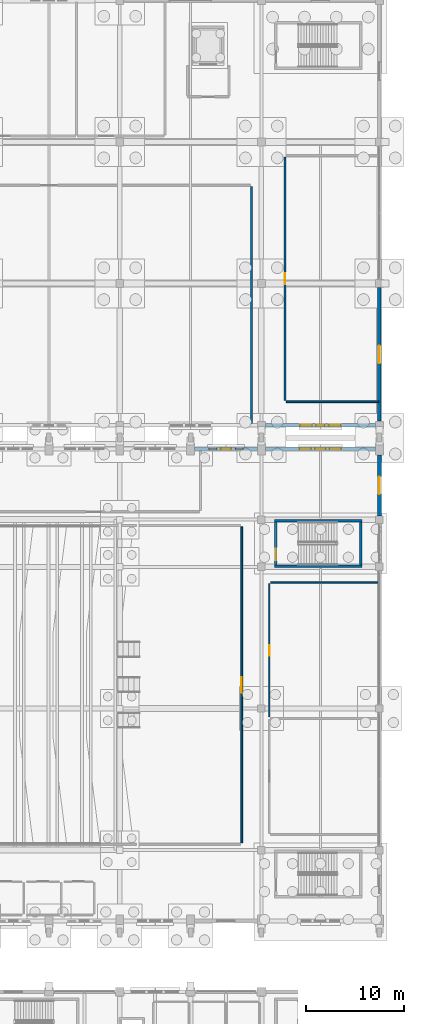
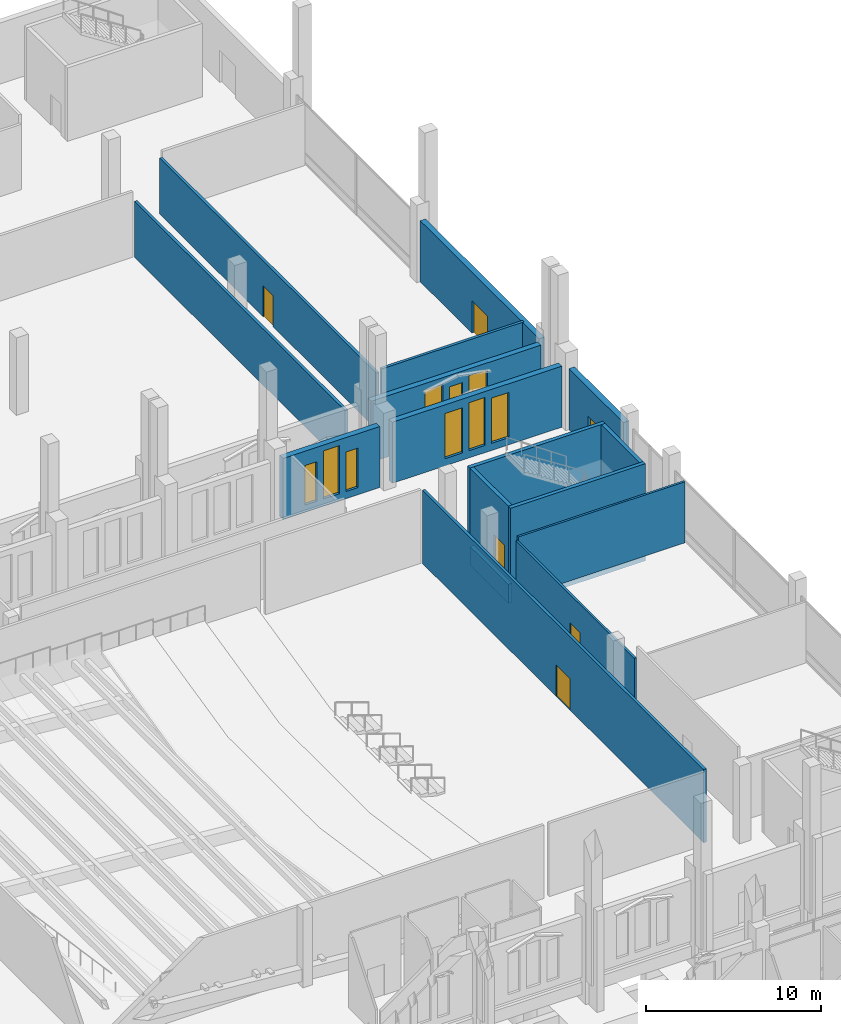
# One storey, part 147 of 192: 16 walls, 9 windows, 6 doors, 15 openings.
"""IFC4 building model written with IfcOpenShell, lengths in metres."""

import ifcopenshell
import ifcopenshell.guid

model = None  # the IFC model being written
_history = None  # IfcOwnerHistory: only IFC2X3 demands one
_inside = {}  # id of a spatial element -> (the spatial element, [elements in it])
_under = {}  # id of a project, library or spatial element -> (it, [spatial elements below it])
_declared = {}  # id of a project -> (the project, [libraries it declares])
_typed = {}  # id of a type object -> (the type object, [elements of that type])
_made_of = {}  # id of a material, layer set ... -> (it, [elements and type objects made of it])


def new_model(schema):
    """Start an empty IFC model of exactly this schema.

    Asked for "IFC4X3", IfcOpenShell would pick the latest addendum, in which some entities
    have other attributes; the version numbers below select the first issue.
    IFC2X3 requires an IfcOwnerHistory on every rooted entity: one is made here for all.
    """
    global model, _history
    if schema == "IFC4X3":
        model = ifcopenshell.file(schema_version=(4, 3, 0, 0))
    else:
        model = ifcopenshell.file(schema=schema)
    _inside.clear()
    _under.clear()
    _declared.clear()
    _typed.clear()
    _made_of.clear()
    _history = None
    if model.schema == "IFC2X3":
        org = make("IfcOrganization", Name="unknown")
        user = make(
            "IfcPersonAndOrganization",
            ThePerson=make("IfcPerson", FamilyName="unknown"),
            TheOrganization=org,
        )
        app = make(
            "IfcApplication",
            ApplicationDeveloper=org,
            Version="unknown",
            ApplicationFullName="unknown",
            ApplicationIdentifier="unknown",
        )
        _history = make(
            "IfcOwnerHistory",
            OwningUser=user,
            OwningApplication=app,
            ChangeAction="ADDED",
            CreationDate=0,
        )
    return model


def make(cls, **values):
    """One entity of the class cls with the attributes given. An attribute that is None is left unset."""
    return model.create_entity(
        cls, **{name: value for name, value in values.items() if value is not None}
    )


def rooted(cls, **values):
    """An entity with a GlobalId (a new one), such as an element, a storey or a relation."""
    return make(cls, GlobalId=ifcopenshell.guid.new(), OwnerHistory=_history, **values)


def si_unit(unit_type, name, prefix=None):
    """IfcSIUnit, for example si_unit("LENGTHUNIT", "METRE", prefix="MILLI")."""
    return make("IfcSIUnit", UnitType=unit_type, Prefix=prefix, Name=name)


def assignment(units):
    """IfcUnitAssignment: the units of a project."""
    return None if units is None else make("IfcUnitAssignment", Units=units)


def point(xyz):
    """IfcCartesianPoint."""
    return None if xyz is None else make("IfcCartesianPoint", Coordinates=xyz)


def direction(xyz):
    """IfcDirection."""
    return None if xyz is None else make("IfcDirection", DirectionRatios=xyz)


def frame(location, z_axis=None, x_axis=None):
    """IfcAxis2Placement3D, a coordinate frame: its origin and axes. An axis left out is left unset."""
    return make(
        "IfcAxis2Placement3D",
        Location=point(location),
        Axis=direction(z_axis),
        RefDirection=direction(x_axis),
    )


def frame_2d(location, x_axis=None):
    """IfcAxis2Placement2D, a coordinate frame in the plane: its origin and x axis."""
    return make(
        "IfcAxis2Placement2D", Location=point(location), RefDirection=direction(x_axis)
    )


def origin():
    """The frame at (0, 0, 0) with its axes left unset."""
    return frame((0.0, 0.0, 0.0))


def place(relative_to, where):
    """IfcLocalPlacement: puts the frame where relative to a parent placement (None: the world)."""
    return make(
        "IfcLocalPlacement", PlacementRelTo=relative_to, RelativePlacement=where
    )


def context(
    kind, dimensions, precision=None, world=None, true_north=None, identifier=None
):
    """IfcGeometricRepresentationContext, for example the 3D "Model" context."""
    return make(
        "IfcGeometricRepresentationContext",
        ContextIdentifier=identifier,
        ContextType=kind,
        CoordinateSpaceDimension=dimensions,
        Precision=precision,
        WorldCoordinateSystem=world,
        TrueNorth=true_north,
    )


def subcontext(parent, identifier, kind, view, scale=None):
    """IfcGeometricRepresentationSubContext, for example "Body" below "Model"."""
    return make(
        "IfcGeometricRepresentationSubContext",
        ContextIdentifier=identifier,
        ContextType=kind,
        ParentContext=parent,
        TargetScale=scale,
        TargetView=view,
    )


def project(units=None, contexts=None):
    """IfcProject with its units and contexts."""
    return rooted(
        "IfcProject",
        Name="project",
        RepresentationContexts=contexts,
        UnitsInContext=assignment(units),
    )


def spatial(cls, under=None, at=None, **own):
    """A site, building, storey or space (cls), placed at a placement, below another one or the project."""
    s = rooted(cls, ObjectPlacement=at, **own)
    if under is not None:
        _under.setdefault(under.id(), (under, []))[1].append(s)
    return s


def profile(cls, at=None, kind="AREA", **sizes):
    """A parametric profile (cls). Its sizes go by their IFC names, for example OverallWidth=200.0."""
    return make(cls, ProfileType=kind, Position=at, **sizes)


def rectangle(**sizes):
    """IfcRectangleProfileDef."""
    return profile("IfcRectangleProfileDef", **sizes)


def extrude(swept, where, along, depth):
    """IfcExtrudedAreaSolid: the profile swept, set in the frame where, extruded along a direction by depth."""
    return make(
        "IfcExtrudedAreaSolid",
        SweptArea=swept,
        Position=where,
        ExtrudedDirection=direction(along),
        Depth=depth,
    )


def shape(context_of_items, identifier, shape_type, items):
    """IfcShapeRepresentation: the items that make up one representation, for example the "Body"."""
    return make(
        "IfcShapeRepresentation",
        ContextOfItems=context_of_items,
        RepresentationIdentifier=identifier,
        RepresentationType=shape_type,
        Items=items,
    )


def material(Name=None, Category=None):
    """IfcMaterial."""
    return make("IfcMaterial", Name=Name, Category=Category)


def layer(
    of_material, thickness, ventilated=None, Name=None, Category=None, Priority=None
):
    """IfcMaterialLayer: one layer of a wall or slab, of a material (None: an air gap)."""
    return make(
        "IfcMaterialLayer",
        Material=of_material,
        LayerThickness=thickness,
        IsVentilated=ventilated,
        Name=Name,
        Category=Category,
        Priority=Priority,
    )


def layer_set(layers, Name=None):
    """IfcMaterialLayerSet."""
    return make("IfcMaterialLayerSet", MaterialLayers=layers, LayerSetName=Name)


def made_of(thing, what):
    """Note that an element or type object is made of a material, layer set ...; save() writes the relation."""
    if what is not None:
        _made_of.setdefault(what.id(), (what, []))[1].append(thing)
    return thing


def type_object(cls, material=None, **own):
    """A type object (cls), such as IfcWallType, which elements share."""
    return made_of(rooted(cls, **own), material)


def element(
    cls,
    number,
    at=None,
    inside=None,
    cuts=None,
    type_object=None,
    material=None,
    context=None,
    identifier="Body",
    shape_type=None,
    held_by="IfcProductDefinitionShape",
    body=None,
    shapes=None,
    **own,
):
    """One element of the class cls, such as IfcWall. Its Tag is "e" and its number.

    at: its placement. inside: the storey or other place that contains it. cuts: it is an
    opening in that element (IfcRelVoidsElement). A single representation is given by context,
    identifier, shape_type and body (its items); several are given by shapes. held_by: the class
    of the entity that holds the representations. save() writes the other relations.
    """
    e = rooted(cls, Tag="e%d" % number, ObjectPlacement=at, **own)
    if body is not None:
        shapes = [shape(context, identifier, shape_type, body)]
    if shapes is not None:
        e.Representation = make(held_by, Representations=shapes)
    if inside is not None:
        _inside.setdefault(inside.id(), (inside, []))[1].append(e)
    if cuts is not None:
        rooted(
            "IfcRelVoidsElement", RelatingBuildingElement=cuts, RelatedOpeningElement=e
        )
    if type_object is not None:
        _typed.setdefault(type_object.id(), (type_object, []))[1].append(e)
    return made_of(e, material)


def fill(opening, filler):
    """IfcRelFillsElement: the door or window that sits in an opening."""
    return rooted(
        "IfcRelFillsElement",
        RelatingOpeningElement=opening,
        RelatedBuildingElement=filler,
    )


def aggregate(whole, parts):
    """IfcRelAggregates: a whole, such as a stair, and the parts it consists of."""
    return rooted("IfcRelAggregates", RelatingObject=whole, RelatedObjects=parts)


def save(model, path):
    """Write the relations noted so far, then the file.

    IfcRelAggregates (storeys below a building ...), IfcRelContainedInSpatialStructure (elements
    in a storey), IfcRelDefinesByType, IfcRelAssociatesMaterial and IfcRelDeclares: one each for
    every whole, place, type object, material and project.
    """
    for whole, parts in _under.values():
        aggregate(whole, parts)
    for where, things in _inside.values():
        rooted(
            "IfcRelContainedInSpatialStructure",
            RelatedElements=things,
            RelatingStructure=where,
        )
    for kind, things in _typed.values():
        rooted("IfcRelDefinesByType", RelatedObjects=things, RelatingType=kind)
    for what, things in _made_of.values():
        rooted("IfcRelAssociatesMaterial", RelatedObjects=things, RelatingMaterial=what)
    for by, libraries in _declared.values():
        rooted("IfcRelDeclares", RelatingContext=by, RelatedDefinitions=libraries)
    model.write(path)


model = new_model("IFC4")

# Units and contexts
model_context = context("Model", 3, precision=1e-05, world=origin(), true_north=direction((0.0, 1.0)))
body_context = subcontext(model_context, "Body", "Model", "MODEL_VIEW")
ifc_project = project(units=[si_unit("LENGTHUNIT", "METRE"), si_unit("AREAUNIT", "SQUARE_METRE"), si_unit("VOLUMEUNIT", "CUBIC_METRE"), si_unit("PLANEANGLEUNIT", "RADIAN"), si_unit("MASSUNIT", "GRAM", prefix="KILO")], contexts=[model_context])

# Site, building, storey
site_placement = place(None, origin())
site = spatial("IfcSite", under=ifc_project, at=site_placement, CompositionType="ELEMENT")
building_placement = place(site_placement, origin())
building = spatial("IfcBuilding", under=site, at=building_placement, Name="Cendralis Lancet Convention Centre", CompositionType="ELEMENT")
storey_placement = place(building_placement, origin())
storey = spatial("IfcBuildingStorey", under=building, at=storey_placement, Name="L00", CompositionType="ELEMENT", Elevation=0.0)

# Wall, openings, windows
ifc_material_1 = material(Name="Buff sandstone ashlar and Concrete G40 (C40/50)", Category="masonry")
ifc_layer_1 = layer(ifc_material_1, 0.360107421875, Name="Buff sandstone ashlar and Concrete G40 (C40/50)")
ifc_layer_set_1 = layer_set([ifc_layer_1], Name="Buff sandstone ashlar and Concrete G40 (C40/50)")
wall_type_1 = type_object("IfcWallType", Name="ARC-EW-W360", PredefinedType="STANDARD", material=ifc_layer_set_1)
wall_1_placement = place(storey_placement, frame((208.39208984375, 93.60009765625, 0.0), z_axis=(0.0, 0.0, 1.0), x_axis=(-1.0, 0.0, 0.0)))
wall_1 = element("IfcWall", 1, at=wall_1_placement, inside=storey, type_object=wall_type_1, Name="L00 V3 Exterior Wall EW-04 #0139", PredefinedType="STANDARD", context=body_context, shape_type="SweptSolid", body=[
    extrude(rectangle(XDim=11.18408203125, YDim=0.360107421875, at=frame_2d((5.592041015625, 0.0))), origin(), (0.0, 0.0, 1.0), 4.2548828125),
])
opening_1_placement = place(wall_1_placement, frame((3.531982421875, 0.0, 0.5)))
opening_1 = element("IfcOpeningElement", 2, at=opening_1_placement, cuts=wall_1, Name="Opening WN-14", PredefinedType="OPENING", context=body_context, shape_type="SweptSolid", body=[
    extrude(rectangle(XDim=1.199951171875, YDim=3.280029296875, at=frame_2d((0.60009765625, 1.64013671875))), frame((0.0, 0.18994140625, 0.0), z_axis=(0.0, -1.0, 0.0), x_axis=(1.0, 0.0, 0.0)), (0.0, 0.0, 1.0), 0.380126953125),
])
opening_2_placement = place(wall_1_placement, frame((5.152099609375, 0.0, 0.5)))
opening_2 = element("IfcOpeningElement", 3, at=opening_2_placement, cuts=wall_1, Name="Opening WN-08", PredefinedType="OPENING", context=body_context, shape_type="SweptSolid", body=[
    extrude(rectangle(XDim=0.8798828125, YDim=2.949951171875, at=frame_2d((0.43994140625, 1.47509765625))), frame((0.0, 0.18994140625, 0.0), z_axis=(0.0, -1.0, 0.0), x_axis=(1.0, 0.0, 0.0)), (0.0, 0.0, 1.0), 0.380126953125),
])
opening_3_placement = place(wall_1_placement, frame((6.451904296875, 0.0, 0.5)))
opening_3 = element("IfcOpeningElement", 4, at=opening_3_placement, cuts=wall_1, Name="Opening WN-14", PredefinedType="OPENING", context=body_context, shape_type="SweptSolid", body=[
    extrude(rectangle(XDim=1.199951171875, YDim=3.280029296875, at=frame_2d((0.60009765625, 1.64013671875))), frame((0.0, 0.18994140625, 0.0), z_axis=(0.0, -1.0, 0.0), x_axis=(1.0, 0.0, 0.0)), (0.0, 0.0, 1.0), 0.380126953125),
])
ifc_material_2 = material(Name="Double-glazed low-E solar-control glass", Category="glass")
window_type_1 = type_object("IfcWindowType", Name="ARC-WN-LW08", PartitioningType="SINGLE_PANEL", PredefinedType="WINDOW", material=ifc_material_2)
window_1_placement = place(opening_2_placement, origin())
window_1 = element("IfcWindow", 5, at=window_1_placement, inside=storey, type_object=window_type_1, Name="Gothic Lancet Window WN-08 #0270", OverallHeight=2.949951171875, OverallWidth=0.8798828125, PartitioningType="SINGLE_PANEL", PredefinedType="WINDOW", context=body_context, shape_type="SweptSolid", body=[
    extrude(rectangle(XDim=0.8798828125, YDim=2.949951171875, at=frame_2d((0.43994140625, 1.47509765625))), frame((0.0, 0.030029296875, 0.0), z_axis=(0.0, -1.0, 0.0), x_axis=(1.0, 0.0, 0.0)), (0.0, 0.0, 1.0), 0.06005859375),
])
fill(opening_2, window_1)
window_type_2 = type_object("IfcWindowType", Name="ARC-WN-LW14", PartitioningType="SINGLE_PANEL", PredefinedType="WINDOW", material=ifc_material_2)
window_2_placement = place(opening_1_placement, origin())
window_2 = element("IfcWindow", 6, at=window_2_placement, inside=storey, type_object=window_type_2, Name="Gothic Lancet Window WN-14 #0269", OverallHeight=3.280029296875, OverallWidth=1.199951171875, PartitioningType="SINGLE_PANEL", PredefinedType="WINDOW", context=body_context, shape_type="SweptSolid", body=[
    extrude(rectangle(XDim=1.199951171875, YDim=3.280029296875, at=frame_2d((0.60009765625, 1.64013671875))), frame((0.0, 0.030029296875, 0.0), z_axis=(0.0, -1.0, 0.0), x_axis=(1.0, 0.0, 0.0)), (0.0, 0.0, 1.0), 0.06005859375),
])
fill(opening_1, window_2)
window_3_placement = place(opening_3_placement, origin())
window_3 = element("IfcWindow", 7, at=window_3_placement, inside=storey, type_object=window_type_2, Name="Gothic Lancet Window WN-14 #0271", OverallHeight=3.280029296875, OverallWidth=1.199951171875, PartitioningType="SINGLE_PANEL", PredefinedType="WINDOW", context=body_context, shape_type="SweptSolid", body=[
    extrude(rectangle(XDim=1.199951171875, YDim=3.280029296875, at=frame_2d((0.60009765625, 1.64013671875))), frame((0.0, 0.030029296875, 0.0), z_axis=(0.0, -1.0, 0.0), x_axis=(1.0, 0.0, 0.0)), (0.0, 0.0, 1.0), 0.06005859375),
])
fill(opening_3, window_3)

# Wall, opening, door
wall_2_placement = place(storey_placement, frame((208.800048828125, 107.592041015625, 0.0), z_axis=(0.0, 0.0, 1.0), x_axis=(0.0, -1.0, 0.0)))
wall_2 = element("IfcWall", 8, at=wall_2_placement, inside=storey, type_object=wall_type_1, Name="L00 V3 Exterior Wall EW-04 #0143", PredefinedType="STANDARD", context=body_context, shape_type="SweptSolid", body=[
    extrude(rectangle(XDim=13.583984375, YDim=0.360107421875, at=frame_2d((6.7919921875, 0.0))), origin(), (0.0, 0.0, 1.0), 4.2548828125),
])
opening_4_placement = place(wall_2_placement, frame((5.89208984375, 0.0, 0.0)))
opening_4 = element("IfcOpeningElement", 9, at=opening_4_placement, cuts=wall_2, Name="Opening EX-D1", PredefinedType="OPENING", context=body_context, shape_type="SweptSolid", body=[
    extrude(rectangle(XDim=1.800048828125, YDim=2.25, at=frame_2d((0.89990234375, 1.125))), frame((0.0, 0.18994140625, 0.0), z_axis=(0.0, -1.0, 0.0), x_axis=(1.0, 0.0, 0.0)), (0.0, 0.0, 1.0), 0.380126953125),
])
ifc_material_3 = material(Name="Anodised bronze architectural aluminium", Category="aluminium")
door_type_1 = type_object("IfcDoorType", Name="ARC-DR-EX18", OperationType="NOTDEFINED", PredefinedType="DOOR", material=ifc_material_3)
door_1_placement = place(opening_4_placement, origin())
door_1 = element("IfcDoor", 10, at=door_1_placement, inside=storey, type_object=door_type_1, Name="L00-D041 Pedestrian Final Exit Door EX-41 #041", OperationType="DOUBLE_DOOR_SINGLE_SWING", OverallHeight=2.25, OverallWidth=1.800048828125, PredefinedType="DOOR", context=body_context, shape_type="SweptSolid", body=[
    extrude(rectangle(XDim=1.800048828125, YDim=2.25, at=frame_2d((0.89990234375, 1.125))), frame((0.0, 0.02490234375, 0.0), z_axis=(0.0, -1.0, 0.0), x_axis=(1.0, 0.0, 0.0)), (0.0, 0.0, 1.0), 0.050048828125),
])
fill(opening_4, door_1)

# Wall, openings, windows
ifc_layer_2 = layer(ifc_material_1, 0.3798828125, Name="Buff sandstone ashlar and Concrete G40 (C40/50)")
ifc_layer_set_2 = layer_set([ifc_layer_2], Name="Buff sandstone ashlar and Concrete G40 (C40/50)")
wall_type_2 = type_object("IfcWallType", Name="ARC-EW-W380", PredefinedType="STANDARD", material=ifc_layer_set_2)
wall_3_placement = place(storey_placement, frame((190.008056640625, 91.199951171875, 0.0), z_axis=(0.0, 0.0, 1.0), x_axis=(1.0, 0.0, 0.0)))
wall_3 = element("IfcWall", 11, at=wall_3_placement, inside=storey, type_object=wall_type_2, Name="L00 V2 Exterior Wall EW-03 #0083", PredefinedType="STANDARD", context=body_context, shape_type="SweptSolid", body=[
    extrude(rectangle(XDim=6.384033203125, YDim=0.3798828125, at=frame_2d((3.19189453125, 0.0))), origin(), (0.0, 0.0, 1.0), 4.2548828125),
])
opening_5_placement = place(wall_3_placement, frame((1.44189453125, 0.0, 0.5)))
opening_5 = element("IfcOpeningElement", 12, at=opening_5_placement, cuts=wall_3, Name="Opening WN-07", PredefinedType="OPENING", context=body_context, shape_type="SweptSolid", body=[
    extrude(rectangle(XDim=0.800048828125, YDim=2.75, at=frame_2d((0.39990234375, 1.375))), frame((0.0, 0.199951171875, 0.0), z_axis=(0.0, -1.0, 0.0), x_axis=(1.0, 0.0, 0.0)), (0.0, 0.0, 1.0), 0.39990234375),
])
opening_6_placement = place(wall_3_placement, frame((2.662109375, 0.0, 0.5)))
opening_6 = element("IfcOpeningElement", 13, at=opening_6_placement, cuts=wall_3, Name="Opening WN-11", PredefinedType="OPENING", context=body_context, shape_type="SweptSolid", body=[
    extrude(rectangle(XDim=1.06005859375, YDim=3.35009765625, at=frame_2d((0.530029296875, 1.675048828125))), frame((0.0, 0.199951171875, 0.0), z_axis=(0.0, -1.0, 0.0), x_axis=(1.0, 0.0, 0.0)), (0.0, 0.0, 1.0), 0.39990234375),
])
opening_7_placement = place(wall_3_placement, frame((4.14208984375, 0.0, 0.5)))
opening_7 = element("IfcOpeningElement", 14, at=opening_7_placement, cuts=wall_3, Name="Opening WN-07", PredefinedType="OPENING", context=body_context, shape_type="SweptSolid", body=[
    extrude(rectangle(XDim=0.800048828125, YDim=2.75, at=frame_2d((0.39990234375, 1.375))), frame((0.0, 0.199951171875, 0.0), z_axis=(0.0, -1.0, 0.0), x_axis=(1.0, 0.0, 0.0)), (0.0, 0.0, 1.0), 0.39990234375),
])
window_type_3 = type_object("IfcWindowType", Name="ARC-WN-LW07", PartitioningType="SINGLE_PANEL", PredefinedType="WINDOW", material=ifc_material_2)
window_4_placement = place(opening_5_placement, origin())
window_4 = element("IfcWindow", 15, at=window_4_placement, inside=storey, type_object=window_type_3, Name="Gothic Lancet Window WN-07 #0144", OverallHeight=2.75, OverallWidth=0.800048828125, PartitioningType="SINGLE_PANEL", PredefinedType="WINDOW", context=body_context, shape_type="SweptSolid", body=[
    extrude(rectangle(XDim=0.800048828125, YDim=2.75, at=frame_2d((0.39990234375, 1.375))), frame((0.0, 0.030029296875, 0.0), z_axis=(0.0, -1.0, 0.0), x_axis=(1.0, 0.0, 0.0)), (0.0, 0.0, 1.0), 0.06005859375),
])
fill(opening_5, window_4)
window_5_placement = place(opening_7_placement, origin())
window_5 = element("IfcWindow", 16, at=window_5_placement, inside=storey, type_object=window_type_3, Name="Gothic Lancet Window WN-07 #0146", OverallHeight=2.75, OverallWidth=0.800048828125, PartitioningType="SINGLE_PANEL", PredefinedType="WINDOW", context=body_context, shape_type="SweptSolid", body=[
    extrude(rectangle(XDim=0.800048828125, YDim=2.75, at=frame_2d((0.39990234375, 1.375))), frame((0.0, 0.030029296875, 0.0), z_axis=(0.0, -1.0, 0.0), x_axis=(1.0, 0.0, 0.0)), (0.0, 0.0, 1.0), 0.06005859375),
])
fill(opening_7, window_5)
window_type_4 = type_object("IfcWindowType", Name="ARC-WN-LW11", PartitioningType="SINGLE_PANEL", PredefinedType="WINDOW", material=ifc_material_2)
window_6_placement = place(opening_6_placement, origin())
window_6 = element("IfcWindow", 17, at=window_6_placement, inside=storey, type_object=window_type_4, Name="Gothic Lancet Window WN-11 #0145", OverallHeight=3.35009765625, OverallWidth=1.06005859375, PartitioningType="SINGLE_PANEL", PredefinedType="WINDOW", context=body_context, shape_type="SweptSolid", body=[
    extrude(rectangle(XDim=1.06005859375, YDim=3.35009765625, at=frame_2d((0.530029296875, 1.675048828125))), frame((0.0, 0.030029296875, 0.0), z_axis=(0.0, -1.0, 0.0), x_axis=(1.0, 0.0, 0.0)), (0.0, 0.0, 1.0), 0.06005859375),
])
fill(opening_6, window_6)

wall_4_placement = place(storey_placement, frame((197.2080078125, 91.199951171875, 0.0), z_axis=(0.0, 0.0, 1.0), x_axis=(1.0, 0.0, 0.0)))
wall_4 = element("IfcWall", 18, at=wall_4_placement, inside=storey, type_object=wall_type_2, Name="L00 V2 Exterior Wall EW-03 #0084", PredefinedType="STANDARD", context=body_context, shape_type="SweptSolid", body=[
    extrude(rectangle(XDim=11.18408203125, YDim=0.3798828125, at=frame_2d((5.592041015625, 0.0))), origin(), (0.0, 0.0, 1.0), 4.2548828125),
])
opening_8_placement = place(wall_4_placement, frame((3.48193359375, 0.0, 0.5)))
opening_8 = element("IfcOpeningElement", 19, at=opening_8_placement, cuts=wall_4, Name="Opening WN-13", PredefinedType="OPENING", context=body_context, shape_type="SweptSolid", body=[
    extrude(rectangle(XDim=1.159912109375, YDim=3.14990234375, at=frame_2d((0.580078125, 1.574951171875))), frame((0.0, 0.199951171875, 0.0), z_axis=(0.0, -1.0, 0.0), x_axis=(1.0, 0.0, 0.0)), (0.0, 0.0, 1.0), 0.39990234375),
])
opening_9_placement = place(wall_4_placement, frame((5.06201171875, 0.0, 0.5)))
opening_9 = element("IfcOpeningElement", 20, at=opening_9_placement, cuts=wall_4, Name="Opening WN-11", PredefinedType="OPENING", context=body_context, shape_type="SweptSolid", body=[
    extrude(rectangle(XDim=1.06005859375, YDim=3.35009765625, at=frame_2d((0.530029296875, 1.675048828125))), frame((0.0, 0.199951171875, 0.0), z_axis=(0.0, -1.0, 0.0), x_axis=(1.0, 0.0, 0.0)), (0.0, 0.0, 1.0), 0.39990234375),
])
opening_10_placement = place(wall_4_placement, frame((6.5419921875, 0.0, 0.5)))
opening_10 = element("IfcOpeningElement", 21, at=opening_10_placement, cuts=wall_4, Name="Opening WN-13", PredefinedType="OPENING", context=body_context, shape_type="SweptSolid", body=[
    extrude(rectangle(XDim=1.159912109375, YDim=3.14990234375, at=frame_2d((0.580078125, 1.574951171875))), frame((0.0, 0.199951171875, 0.0), z_axis=(0.0, -1.0, 0.0), x_axis=(1.0, 0.0, 0.0)), (0.0, 0.0, 1.0), 0.39990234375),
])
window_7_placement = place(opening_9_placement, origin())
window_7 = element("IfcWindow", 22, at=window_7_placement, inside=storey, type_object=window_type_4, Name="Gothic Lancet Window WN-11 #0148", OverallHeight=3.35009765625, OverallWidth=1.06005859375, PartitioningType="SINGLE_PANEL", PredefinedType="WINDOW", context=body_context, shape_type="SweptSolid", body=[
    extrude(rectangle(XDim=1.06005859375, YDim=3.35009765625, at=frame_2d((0.530029296875, 1.675048828125))), frame((0.0, 0.030029296875, 0.0), z_axis=(0.0, -1.0, 0.0), x_axis=(1.0, 0.0, 0.0)), (0.0, 0.0, 1.0), 0.06005859375),
])
fill(opening_9, window_7)
window_type_5 = type_object("IfcWindowType", Name="ARC-WN-LW13", PartitioningType="SINGLE_PANEL", PredefinedType="WINDOW", material=ifc_material_2)
window_8_placement = place(opening_8_placement, origin())
window_8 = element("IfcWindow", 23, at=window_8_placement, inside=storey, type_object=window_type_5, Name="Gothic Lancet Window WN-13 #0147", OverallHeight=3.14990234375, OverallWidth=1.159912109375, PartitioningType="SINGLE_PANEL", PredefinedType="WINDOW", context=body_context, shape_type="SweptSolid", body=[
    extrude(rectangle(XDim=1.159912109375, YDim=3.14990234375, at=frame_2d((0.580078125, 1.574951171875))), frame((0.0, 0.030029296875, 0.0), z_axis=(0.0, -1.0, 0.0), x_axis=(1.0, 0.0, 0.0)), (0.0, 0.0, 1.0), 0.06005859375),
])
fill(opening_8, window_8)
window_9_placement = place(opening_10_placement, origin())
window_9 = element("IfcWindow", 24, at=window_9_placement, inside=storey, type_object=window_type_5, Name="Gothic Lancet Window WN-13 #0149", OverallHeight=3.14990234375, OverallWidth=1.159912109375, PartitioningType="SINGLE_PANEL", PredefinedType="WINDOW", context=body_context, shape_type="SweptSolid", body=[
    extrude(rectangle(XDim=1.159912109375, YDim=3.14990234375, at=frame_2d((0.580078125, 1.574951171875))), frame((0.0, 0.030029296875, 0.0), z_axis=(0.0, -1.0, 0.0), x_axis=(1.0, 0.0, 0.0)), (0.0, 0.0, 1.0), 0.06005859375),
])
fill(opening_10, window_9)

# Wall, opening, door
wall_5_placement = place(storey_placement, frame((208.800048828125, 90.592041015625, 0.0), z_axis=(0.0, 0.0, 1.0), x_axis=(0.0, -1.0, 0.0)))
wall_5 = element("IfcWall", 25, at=wall_5_placement, inside=storey, type_object=wall_type_2, Name="L00 V2 Exterior Wall EW-03 #0088", PredefinedType="STANDARD", context=body_context, shape_type="SweptSolid", body=[
    extrude(rectangle(XDim=6.208984375, YDim=0.3798828125, at=frame_2d((3.1044921875, 0.0))), origin(), (0.0, 0.0, 1.0), 4.2548828125),
])
opening_11_placement = place(wall_5_placement, frame((2.20458984375, 0.0, 0.0)))
opening_11 = element("IfcOpeningElement", 26, at=opening_11_placement, cuts=wall_5, Name="Opening EX-D1", PredefinedType="OPENING", context=body_context, shape_type="SweptSolid", body=[
    extrude(rectangle(XDim=1.800048828125, YDim=2.25, at=frame_2d((0.89990234375, 1.125))), frame((0.0, 0.199951171875, 0.0), z_axis=(0.0, -1.0, 0.0), x_axis=(1.0, 0.0, 0.0)), (0.0, 0.0, 1.0), 0.39990234375),
])
door_2_placement = place(opening_11_placement, origin())
door_2 = element("IfcDoor", 27, at=door_2_placement, inside=storey, type_object=door_type_1, Name="L00-D033 Pedestrian Final Exit Door EX-33 #033", OperationType="DOUBLE_DOOR_SINGLE_SWING", OverallHeight=2.25, OverallWidth=1.800048828125, PredefinedType="DOOR", context=body_context, shape_type="SweptSolid", body=[
    extrude(rectangle(XDim=1.800048828125, YDim=2.25, at=frame_2d((0.89990234375, 1.125))), frame((0.0, 0.02490234375, 0.0), z_axis=(0.0, -1.0, 0.0), x_axis=(1.0, 0.0, 0.0)), (0.0, 0.0, 1.0), 0.050048828125),
])
fill(opening_11, door_2)

# Wall
ifc_material_4 = material(Name="Acoustic fire-rated gypsum board on steel studs", Category="steel")
ifc_layer_3 = layer(ifc_material_4, 0.139892578125, Name="Acoustic fire-rated gypsum board on steel studs")
ifc_layer_set_3 = layer_set([ifc_layer_3], Name="Acoustic fire-rated gypsum board on steel studs")
wall_type_3 = type_object("IfcWallType", Name="ARC-IW-P140", PredefinedType="PARTITIONING", material=ifc_layer_set_3)
wall_6_placement = place(storey_placement, frame((197.739990234375, 77.60009765625, 0.0), z_axis=(0.0, 0.0, 1.0), x_axis=(1.0, 0.0, 0.0)))
element("IfcWall", 28, at=wall_6_placement, inside=storey, type_object=wall_type_3, Name="L00 Interior Partition IW-04 #0064", PredefinedType="PARTITIONING", context=body_context, shape_type="SweptSolid", body=[
    extrude(rectangle(XDim=10.97998046875, YDim=0.139892578125, at=frame_2d((5.489990234375, 0.0))), origin(), (0.0, 0.0, 1.0), 4.2548828125),
])

# Wall, opening, door
wall_7_placement = place(storey_placement, frame((197.60009765625, 63.93994140625, 0.0), z_axis=(0.0, 0.0, 1.0), x_axis=(0.0, 1.0, 0.0)))
wall_7 = element("IfcWall", 29, at=wall_7_placement, inside=storey, type_object=wall_type_3, Name="L00 Interior Partition IW-04 #0065", PredefinedType="PARTITIONING", context=body_context, shape_type="SweptSolid", body=[
    extrude(rectangle(XDim=13.52001953125, YDim=0.139892578125, at=frame_2d((6.760009765625, 0.0))), origin(), (0.0, 0.0, 1.0), 4.10498046875),
])
opening_12_placement = place(wall_7_placement, frame((6.2099609375, 0.0, 0.0)))
opening_12 = element("IfcOpeningElement", 30, at=opening_12_placement, cuts=wall_7, Name="Opening FD-11", PredefinedType="OPENING", context=body_context, shape_type="SweptSolid", body=[
    extrude(rectangle(XDim=1.10009765625, YDim=2.14990234375, at=frame_2d((0.550048828125, 1.074951171875))), frame((0.0, 0.079833984375, 0.0), z_axis=(0.0, -1.0, 0.0), x_axis=(1.0, 0.0, 0.0)), (0.0, 0.0, 1.0), 0.159912109375),
])
ifc_material_5 = material(Name="Steel S355", Category="steel")
door_type_2 = type_object("IfcDoorType", Name="ARC-DR-FF11", OperationType="NOTDEFINED", PredefinedType="DOOR", material=ifc_material_5)
door_3_placement = place(opening_12_placement, frame((1.10009765625, 0.0, 0.0), z_axis=(0.0, 0.0, 1.0), x_axis=(-1.0, 0.0, 0.0)))
door_3 = element("IfcDoor", 31, at=door_3_placement, inside=storey, type_object=door_type_2, Name="L00-D061 L00 Interior Door FD-11 #0021", OperationType="SINGLE_SWING_RIGHT", OverallHeight=2.14990234375, OverallWidth=1.10009765625, PredefinedType="DOOR", context=body_context, shape_type="SweptSolid", body=[
    extrude(rectangle(XDim=1.10009765625, YDim=2.14990234375, at=frame_2d((0.550048828125, 1.074951171875))), frame((0.0, 0.02490234375, 0.0), z_axis=(0.0, -1.0, 0.0), x_axis=(1.0, 0.0, 0.0)), (0.0, 0.0, 1.0), 0.050048828125),
])
fill(opening_12, door_3)

ifc_layer_4 = layer(ifc_material_4, 0.179931640625, Name="Acoustic fire-rated gypsum board on steel studs")
ifc_layer_set_4 = layer_set([ifc_layer_4], Name="Acoustic fire-rated gypsum board on steel studs")
wall_type_4 = type_object("IfcWallType", Name="ARC-IW-P180", PredefinedType="PARTITIONING", material=ifc_layer_set_4)
wall_8_placement = place(storey_placement, frame((194.800048828125, 51.139892578125, 0.0), z_axis=(0.0, 0.0, 1.0), x_axis=(0.0, 1.0, 0.0)))
wall_8 = element("IfcWall", 32, at=wall_8_placement, inside=storey, type_object=wall_type_4, Name="L00 Interior Partition IW-02 #0058", PredefinedType="PARTITIONING", context=body_context, shape_type="SweptSolid", body=[
    extrude(rectangle(XDim=32.1201171875, YDim=0.179931640625, at=frame_2d((16.06005859375, 0.0))), origin(), (0.0, 0.0, 1.0), 5.10498046875),
])
opening_13_placement = place(wall_8_placement, frame((15.260009765625, 0.0, 0.0)))
opening_13 = element("IfcOpeningElement", 33, at=opening_13_placement, cuts=wall_8, Name="Opening ID-16", PredefinedType="OPENING", context=body_context, shape_type="SweptSolid", body=[
    extrude(rectangle(XDim=1.60009765625, YDim=2.199951171875, at=frame_2d((0.800048828125, 1.10009765625))), frame((0.0, 0.099853515625, 0.0), z_axis=(0.0, -1.0, 0.0), x_axis=(1.0, 0.0, 0.0)), (0.0, 0.0, 1.0), 0.199951171875),
])
ifc_material_6 = material(Name="Acoustic Chilean lenga timber and steel fire leaf", Category="steel")
door_type_3 = type_object("IfcDoorType", Name="ARC-DR-DB16", OperationType="NOTDEFINED", PredefinedType="DOOR", material=ifc_material_6)
door_4_placement = place(opening_13_placement, frame((1.60009765625, 0.0, 0.0), z_axis=(0.0, 0.0, 1.0), x_axis=(-1.0, 0.0, 0.0)))
door_4 = element("IfcDoor", 34, at=door_4_placement, inside=storey, type_object=door_type_3, Name="L00-D059 L00 Interior Door ID-16 #0019", OperationType="DOUBLE_DOOR_SINGLE_SWING", OverallHeight=2.199951171875, OverallWidth=1.60009765625, PredefinedType="DOOR", context=body_context, shape_type="SweptSolid", body=[
    extrude(rectangle(XDim=1.60009765625, YDim=2.199951171875, at=frame_2d((0.800048828125, 1.10009765625))), frame((0.0, 0.02490234375, 0.0), z_axis=(0.0, -1.0, 0.0), x_axis=(1.0, 0.0, 0.0)), (0.0, 0.0, 1.0), 0.050048828125),
])
fill(opening_13, door_4)

# Walls
wall_9_placement = place(storey_placement, frame((195.800048828125, 93.7900390625, 0.0), z_axis=(0.0, 0.0, 1.0), x_axis=(0.0, 1.0, 0.0)))
element("IfcWall", 35, at=wall_9_placement, inside=storey, type_object=wall_type_4, Name="L00 Interior Partition IW-02 #0137", PredefinedType="PARTITIONING", context=body_context, shape_type="SweptSolid", body=[
    extrude(rectangle(XDim=24.070068359375, YDim=0.179931640625, at=frame_2d((12.03515625, 0.0))), origin(), (0.0, 0.0, 1.0), 3.905029296875),
])
wall_10_placement = place(storey_placement, frame((199.340087890625, 96.0, 0.0), z_axis=(0.0, 0.0, 1.0), x_axis=(1.0, 0.0, 0.0)))
element("IfcWall", 36, at=wall_10_placement, inside=storey, type_object=wall_type_4, Name="L00 Interior Partition IW-02 #0147", PredefinedType="PARTITIONING", context=body_context, shape_type="SweptSolid", body=[
    extrude(rectangle(XDim=9.3798828125, YDim=0.179931640625, at=frame_2d((4.68994140625, 0.0))), origin(), (0.0, 0.0, 1.0), 4.2548828125),
])

# Wall, opening, door
wall_11_placement = place(storey_placement, frame((199.199951171875, 96.139892578125, 0.0), z_axis=(0.0, 0.0, 1.0), x_axis=(0.0, 1.0, 0.0)))
wall_11 = element("IfcWall", 37, at=wall_11_placement, inside=storey, type_object=wall_type_4, Name="L00 Interior Partition IW-02 #0149", PredefinedType="PARTITIONING", context=body_context, shape_type="SweptSolid", body=[
    extrude(rectangle(XDim=24.72021484375, YDim=0.179931640625, at=frame_2d((12.360107421875, 0.0))), origin(), (0.0, 0.0, 1.0), 3.905029296875),
])
opening_14_placement = place(wall_11_placement, frame((11.81005859375, 0.0, 0.0)))
opening_14 = element("IfcOpeningElement", 38, at=opening_14_placement, cuts=wall_11, Name="Opening FD-11", PredefinedType="OPENING", context=body_context, shape_type="SweptSolid", body=[
    extrude(rectangle(XDim=1.10009765625, YDim=2.14990234375, at=frame_2d((0.550048828125, 1.074951171875))), frame((0.0, 0.099853515625, 0.0), z_axis=(0.0, -1.0, 0.0), x_axis=(1.0, 0.0, 0.0)), (0.0, 0.0, 1.0), 0.199951171875),
])
door_5_placement = place(opening_14_placement, frame((1.10009765625, 0.0, 0.0), z_axis=(0.0, 0.0, 1.0), x_axis=(-1.0, 0.0, 0.0)))
door_5 = element("IfcDoor", 39, at=door_5_placement, inside=storey, type_object=door_type_2, Name="L00-D070 L00 Interior Door FD-11 #0049", OperationType="SINGLE_SWING_LEFT", OverallHeight=2.14990234375, OverallWidth=1.10009765625, PredefinedType="DOOR", context=body_context, shape_type="SweptSolid", body=[
    extrude(rectangle(XDim=1.10009765625, YDim=2.14990234375, at=frame_2d((0.550048828125, 1.074951171875))), frame((0.0, 0.02490234375, 0.0), z_axis=(0.0, -1.0, 0.0), x_axis=(1.0, 0.0, 0.0)), (0.0, 0.0, 1.0), 0.050048828125),
])
fill(opening_14, door_5)

# Wall
ifc_material_7 = material(Name="Concrete G40 (C40/50)", Category="concrete")
ifc_layer_5 = layer(ifc_material_7, 0.25, Name="Concrete G40 (C40/50)")
ifc_layer_set_5 = layer_set([ifc_layer_5], Name="Concrete G40 (C40/50)")
wall_type_5 = type_object("IfcWallType", Name="STR-SW-CW250", PredefinedType="SHEAR", material=ifc_layer_set_5)
wall_12_placement = place(storey_placement, frame((198.27490234375, 79.39990234375, -1.64990234375), z_axis=(0.0, 0.0, 1.0), x_axis=(0.0, 1.0, 0.0)))
element("IfcWall", 40, at=wall_12_placement, inside=storey, type_object=wall_type_5, Name="L00 Stair Core ST-10 West Base Stem", PredefinedType="SHEAR", context=body_context, shape_type="SweptSolid", body=[
    extrude(rectangle(XDim=4.380126953125, YDim=0.25, at=frame_2d((2.18994140625, 0.0))), origin(), (0.0, 0.0, 1.0), 1.309814453125),
])

# Wall, opening, door
wall_13_placement = place(storey_placement, frame((198.27490234375, 79.39990234375, 0.0), z_axis=(0.0, 0.0, 1.0), x_axis=(0.0, 1.0, 0.0)))
wall_13 = element("IfcWall", 41, at=wall_13_placement, inside=storey, type_object=wall_type_5, Name="L00 Stair Core ST-10 West Shear Wall", PredefinedType="SHEAR", context=body_context, shape_type="SweptSolid", body=[
    extrude(rectangle(XDim=4.380126953125, YDim=0.25, at=frame_2d((2.18994140625, 0.0))), origin(), (0.0, 0.0, 1.0), 5.1201171875),
])
opening_15_placement = place(wall_13_placement, frame((0.449951171875, 0.0, 0.0)))
opening_15 = element("IfcOpeningElement", 42, at=opening_15_placement, cuts=wall_13, Name="Opening SD-12", PredefinedType="OPENING", context=body_context, shape_type="SweptSolid", body=[
    extrude(rectangle(XDim=1.199951171875, YDim=2.14990234375, at=frame_2d((0.60009765625, 1.074951171875))), frame((0.0, 0.135009765625, 0.0), z_axis=(0.0, -1.0, 0.0), x_axis=(1.0, 0.0, 0.0)), (0.0, 0.0, 1.0), 0.27001953125),
])
door_type_4 = type_object("IfcDoorType", Name="ARC-DR-ST12", OperationType="NOTDEFINED", PredefinedType="DOOR", material=ifc_material_5)
door_6_placement = place(opening_15_placement, origin())
door_6 = element("IfcDoor", 43, at=door_6_placement, inside=storey, type_object=door_type_4, Name="L00-D127 L00 Exit Stair ST-10 Fire Door", OperationType="SINGLE_SWING_LEFT", OverallHeight=2.14990234375, OverallWidth=1.199951171875, PredefinedType="DOOR", context=body_context, shape_type="SweptSolid", body=[
    extrude(rectangle(XDim=1.199951171875, YDim=2.14990234375, at=frame_2d((0.60009765625, 1.074951171875))), frame((0.0, 0.02490234375, 0.0), z_axis=(0.0, -1.0, 0.0), x_axis=(1.0, 0.0, 0.0)), (0.0, 0.0, 1.0), 0.050048828125),
])
fill(opening_15, door_6)

# Walls
wall_14_placement = place(storey_placement, frame((206.925048828125, 79.39990234375, -1.64990234375), z_axis=(0.0, 0.0, 1.0), x_axis=(0.0, 1.0, 0.0)))
element("IfcWall", 44, at=wall_14_placement, inside=storey, type_object=wall_type_5, Name="L00 Stair Core ST-10 East Shear Wall", PredefinedType="SHEAR", context=body_context, shape_type="SweptSolid", body=[
    extrude(rectangle(XDim=4.380126953125, YDim=0.25, at=frame_2d((2.18994140625, 0.0))), origin(), (0.0, 0.0, 1.0), 6.77001953125),
])
for number, where, z_axis, x_axis, name in (
    (45, (198.14990234375, 79.27490234375, -1.64990234375), (0.0, 0.0, 1.0), (1.0, 0.0, 0.0), "L00 Stair Core ST-10 South Shear Wall"),
    (46, (198.14990234375, 83.905029296875, -1.64990234375), (0.0, 0.0, 1.0), (1.0, 0.0, 0.0), "L00 Stair Core ST-10 North Shear Wall"),
):
    element("IfcWall", number, at=place(storey_placement, frame(where, z_axis=z_axis, x_axis=x_axis)), inside=storey, type_object=wall_type_5, Name=name, PredefinedType="SHEAR", context=body_context, shape_type="SweptSolid", body=[
        extrude(rectangle(XDim=8.900146484375, YDim=0.25, at=frame_2d((4.4501953125, 0.0))), origin(), (0.0, 0.0, 1.0), 6.77001953125),
    ])

save(model, "model.ifc")
